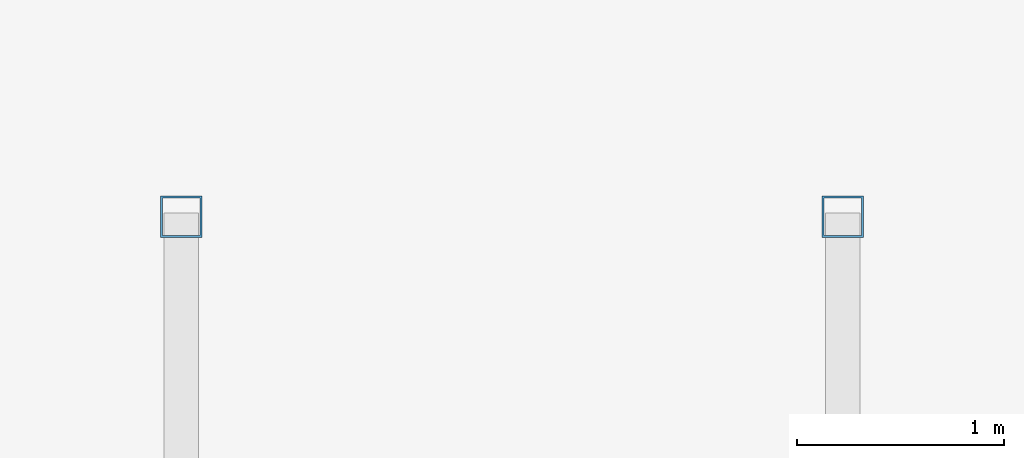
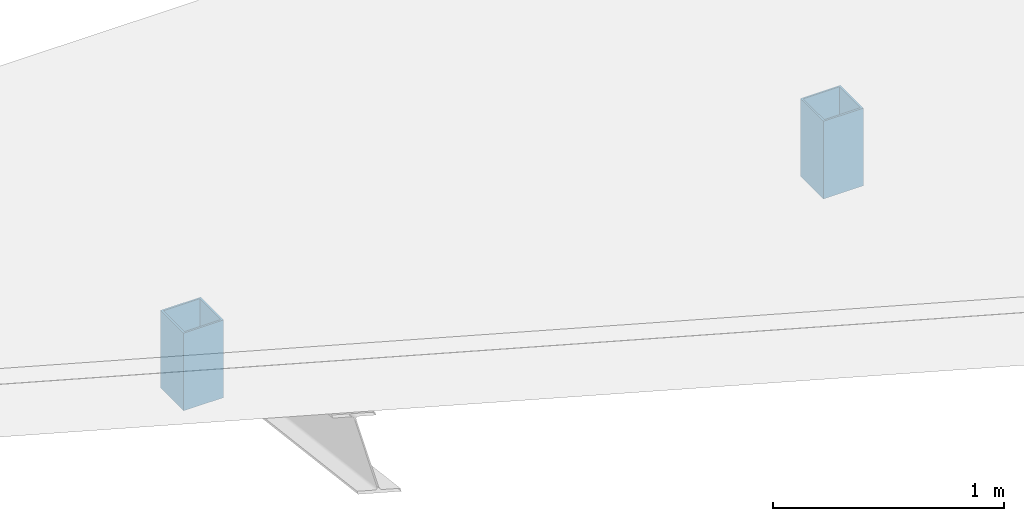
# One storey, part 10 of 11: 2 members.
"""IFC4 building model written with IfcOpenShell, lengths in metres."""

from ifc_helpers import new_model, si_unit, direction, frame, origin, origin_2d, place, context, subcontext, project, spatial, hollow_rectangle, extrude, material, material_profile, profile_set, type_object, element, save


model = new_model("IFC4")

# Units and contexts
model_context = context("Model", 3, precision=1e-05, world=origin(), true_north=direction((0.0, 1.0)))
body_context = subcontext(model_context, "Body", "Model", "MODEL_VIEW")
ifc_project = project(units=[si_unit("LENGTHUNIT", "METRE"), si_unit("AREAUNIT", "SQUARE_METRE"), si_unit("VOLUMEUNIT", "CUBIC_METRE"), si_unit("PLANEANGLEUNIT", "RADIAN"), si_unit("MASSUNIT", "GRAM", prefix="KILO")], contexts=[model_context])

# Site, building, storey
site_placement = place(None, origin())
site = spatial("IfcSite", under=ifc_project, at=site_placement, CompositionType="ELEMENT")
building_placement = place(site_placement, origin())
building = spatial("IfcBuilding", under=site, at=building_placement, Name="Vondelvale Polytechnic", CompositionType="ELEMENT")
storey_placement = place(building_placement, frame((0.0, 0.0, 34.800048828125)))
storey = spatial("IfcBuildingStorey", under=building, at=storey_placement, Name="Roof", CompositionType="ELEMENT", Elevation=34.800048828125)

# Members
ifc_material = material(Name="Steel C350L0 (fy = 350 MPa)", Category="steel")
ifc_material_profile = material_profile(ifc_material, hollow_rectangle(XDim=0.199951171875, YDim=0.199951171875, WallThickness=0.009033203125, at=origin_2d()), Name="200x200x9.0SHS")
ifc_profile_set = profile_set([ifc_material_profile], Name="Steel C350L0 (fy = 350 MPa)")
member_type = type_object("IfcMemberType", Name="ROOF TRUSS POST 200SHS", PredefinedType="POST", material=ifc_profile_set)
for number, where, z_axis, x_axis, name in (
    (1, (38.39990234375, 34.39990234375, 0.0), (0.0, 0.0, 1.0), (1.0, 0.0, 0.0), "Corner wing roof post 2"),
    (2, (41.60009765625, 34.39990234375, 0.0), (0.0, 0.0, 1.0), (1.0, 0.0, 0.0), "Corner wing roof post 2"),
):
    element("IfcMember", number, at=place(storey_placement, frame(where, z_axis=z_axis, x_axis=x_axis)), inside=storey, type_object=member_type, Name=name, PredefinedType="POST", context=body_context, shape_type="SweptSolid", body=[
        extrude(hollow_rectangle(XDim=0.199951171875, YDim=0.199951171875, WallThickness=0.009033203125, at=origin_2d()), origin(), (0.0, 0.0, 1.0), 0.410888671875),
    ])

save(model, "model.ifc")
